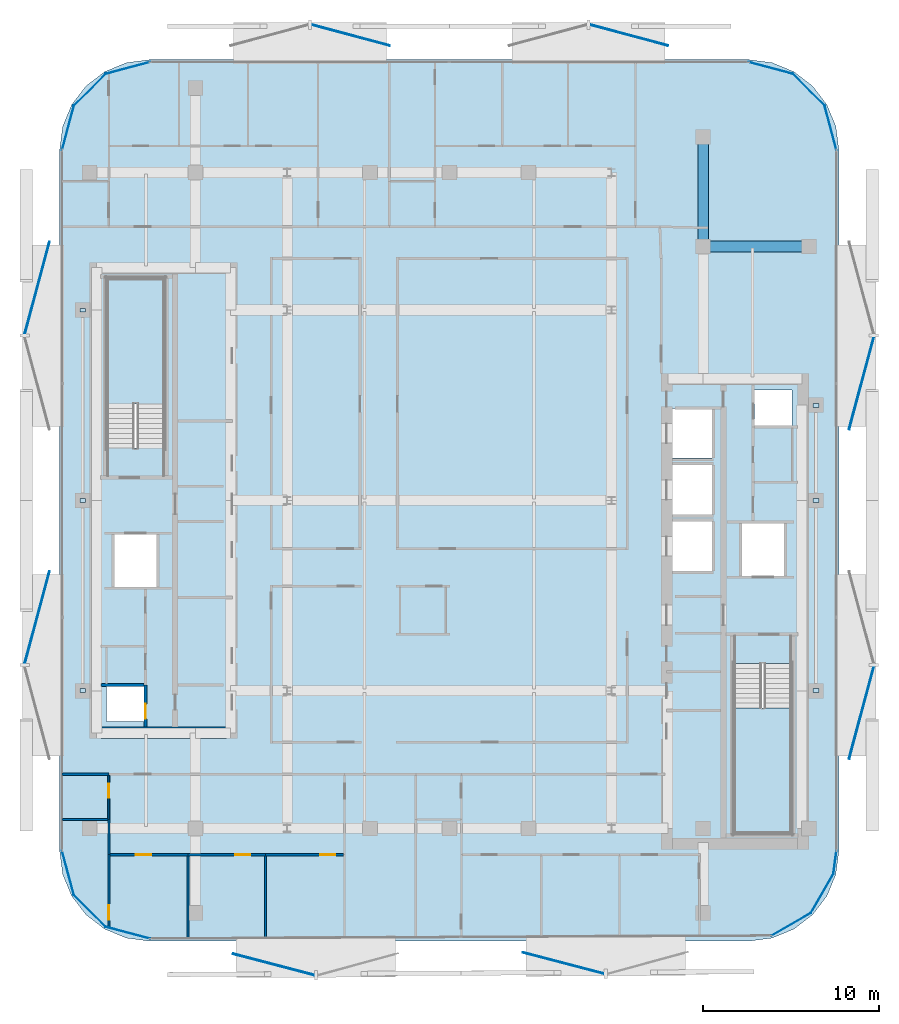
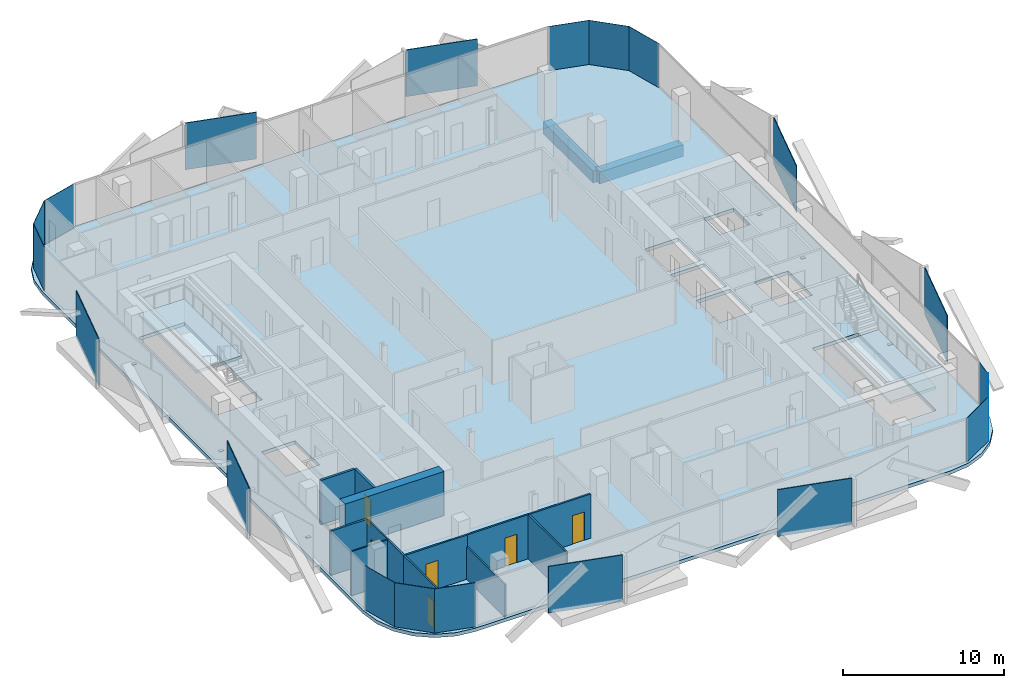
# One storey, part 2 of 14: 26 plates, 13 walls, 6 doors, 3 slabs, 2 beams, 6 openings, 2 elements without a shape of their own.
"""IFC4 building model written with IfcOpenShell, lengths in metres."""

import ifcopenshell
import ifcopenshell.guid

model = None  # the IFC model being written
_history = None  # IfcOwnerHistory: only IFC2X3 demands one
_inside = {}  # id of a spatial element -> (the spatial element, [elements in it])
_under = {}  # id of a project, library or spatial element -> (it, [spatial elements below it])
_declared = {}  # id of a project -> (the project, [libraries it declares])
_typed = {}  # id of a type object -> (the type object, [elements of that type])
_made_of = {}  # id of a material, layer set ... -> (it, [elements and type objects made of it])


def new_model(schema):
    """Start an empty IFC model of exactly this schema.

    Asked for "IFC4X3", IfcOpenShell would pick the latest addendum, in which some entities
    have other attributes; the version numbers below select the first issue.
    IFC2X3 requires an IfcOwnerHistory on every rooted entity: one is made here for all.
    """
    global model, _history
    if schema == "IFC4X3":
        model = ifcopenshell.file(schema_version=(4, 3, 0, 0))
    else:
        model = ifcopenshell.file(schema=schema)
    _inside.clear()
    _under.clear()
    _declared.clear()
    _typed.clear()
    _made_of.clear()
    _history = None
    if model.schema == "IFC2X3":
        org = make("IfcOrganization", Name="unknown")
        user = make(
            "IfcPersonAndOrganization",
            ThePerson=make("IfcPerson", FamilyName="unknown"),
            TheOrganization=org,
        )
        app = make(
            "IfcApplication",
            ApplicationDeveloper=org,
            Version="unknown",
            ApplicationFullName="unknown",
            ApplicationIdentifier="unknown",
        )
        _history = make(
            "IfcOwnerHistory",
            OwningUser=user,
            OwningApplication=app,
            ChangeAction="ADDED",
            CreationDate=0,
        )
    return model


def make(cls, **values):
    """One entity of the class cls with the attributes given. An attribute that is None is left unset."""
    return model.create_entity(
        cls, **{name: value for name, value in values.items() if value is not None}
    )


def rooted(cls, **values):
    """An entity with a GlobalId (a new one), such as an element, a storey or a relation."""
    return make(cls, GlobalId=ifcopenshell.guid.new(), OwnerHistory=_history, **values)


def si_unit(unit_type, name, prefix=None):
    """IfcSIUnit, for example si_unit("LENGTHUNIT", "METRE", prefix="MILLI")."""
    return make("IfcSIUnit", UnitType=unit_type, Prefix=prefix, Name=name)


def assignment(units):
    """IfcUnitAssignment: the units of a project."""
    return None if units is None else make("IfcUnitAssignment", Units=units)


def point(xyz):
    """IfcCartesianPoint."""
    return None if xyz is None else make("IfcCartesianPoint", Coordinates=xyz)


def direction(xyz):
    """IfcDirection."""
    return None if xyz is None else make("IfcDirection", DirectionRatios=xyz)


def frame(location, z_axis=None, x_axis=None):
    """IfcAxis2Placement3D, a coordinate frame: its origin and axes. An axis left out is left unset."""
    return make(
        "IfcAxis2Placement3D",
        Location=point(location),
        Axis=direction(z_axis),
        RefDirection=direction(x_axis),
    )


def frame_2d(location, x_axis=None):
    """IfcAxis2Placement2D, a coordinate frame in the plane: its origin and x axis."""
    return make(
        "IfcAxis2Placement2D", Location=point(location), RefDirection=direction(x_axis)
    )


def origin():
    """The frame at (0, 0, 0) with its axes left unset."""
    return frame((0.0, 0.0, 0.0))


def origin_2d():
    """The frame at (0, 0) in the plane with its x axis left unset."""
    return frame_2d((0.0, 0.0))


def place(relative_to, where):
    """IfcLocalPlacement: puts the frame where relative to a parent placement (None: the world)."""
    return make(
        "IfcLocalPlacement", PlacementRelTo=relative_to, RelativePlacement=where
    )


def context(
    kind, dimensions, precision=None, world=None, true_north=None, identifier=None
):
    """IfcGeometricRepresentationContext, for example the 3D "Model" context."""
    return make(
        "IfcGeometricRepresentationContext",
        ContextIdentifier=identifier,
        ContextType=kind,
        CoordinateSpaceDimension=dimensions,
        Precision=precision,
        WorldCoordinateSystem=world,
        TrueNorth=true_north,
    )


def subcontext(parent, identifier, kind, view, scale=None):
    """IfcGeometricRepresentationSubContext, for example "Body" below "Model"."""
    return make(
        "IfcGeometricRepresentationSubContext",
        ContextIdentifier=identifier,
        ContextType=kind,
        ParentContext=parent,
        TargetScale=scale,
        TargetView=view,
    )


def project(units=None, contexts=None):
    """IfcProject with its units and contexts."""
    return rooted(
        "IfcProject",
        Name="project",
        RepresentationContexts=contexts,
        UnitsInContext=assignment(units),
    )


def spatial(cls, under=None, at=None, **own):
    """A site, building, storey or space (cls), placed at a placement, below another one or the project."""
    s = rooted(cls, ObjectPlacement=at, **own)
    if under is not None:
        _under.setdefault(under.id(), (under, []))[1].append(s)
    return s


def polyline(points):
    """IfcPolyline through the points."""
    return make("IfcPolyline", Points=[point(p) for p in points])


def profile(cls, at=None, kind="AREA", **sizes):
    """A parametric profile (cls). Its sizes go by their IFC names, for example OverallWidth=200.0."""
    return make(cls, ProfileType=kind, Position=at, **sizes)


def rectangle(**sizes):
    """IfcRectangleProfileDef."""
    return profile("IfcRectangleProfileDef", **sizes)


def outline(outer, holes=None, kind="AREA"):
    """IfcArbitraryClosedProfileDef: a profile drawn as a closed curve; with holes, ...WithVoids."""
    if holes is None:
        return make("IfcArbitraryClosedProfileDef", ProfileType=kind, OuterCurve=outer)
    return make(
        "IfcArbitraryProfileDefWithVoids",
        ProfileType=kind,
        OuterCurve=outer,
        InnerCurves=holes,
    )


def extrude(swept, where, along, depth):
    """IfcExtrudedAreaSolid: the profile swept, set in the frame where, extruded along a direction by depth."""
    return make(
        "IfcExtrudedAreaSolid",
        SweptArea=swept,
        Position=where,
        ExtrudedDirection=direction(along),
        Depth=depth,
    )


def shape(context_of_items, identifier, shape_type, items):
    """IfcShapeRepresentation: the items that make up one representation, for example the "Body"."""
    return make(
        "IfcShapeRepresentation",
        ContextOfItems=context_of_items,
        RepresentationIdentifier=identifier,
        RepresentationType=shape_type,
        Items=items,
    )


def material(Name=None, Category=None):
    """IfcMaterial."""
    return make("IfcMaterial", Name=Name, Category=Category)


def layer(
    of_material, thickness, ventilated=None, Name=None, Category=None, Priority=None
):
    """IfcMaterialLayer: one layer of a wall or slab, of a material (None: an air gap)."""
    return make(
        "IfcMaterialLayer",
        Material=of_material,
        LayerThickness=thickness,
        IsVentilated=ventilated,
        Name=Name,
        Category=Category,
        Priority=Priority,
    )


def layer_set(layers, Name=None):
    """IfcMaterialLayerSet."""
    return make("IfcMaterialLayerSet", MaterialLayers=layers, LayerSetName=Name)


def material_profile(
    of_material, cross_section, Name=None, Category=None, Priority=None
):
    """IfcMaterialProfile: a cross section and its material."""
    return make(
        "IfcMaterialProfile",
        Name=Name,
        Material=of_material,
        Profile=cross_section,
        Priority=Priority,
        Category=Category,
    )


def profile_set(profiles, Name=None, composite=None):
    """IfcMaterialProfileSet."""
    return make(
        "IfcMaterialProfileSet",
        Name=Name,
        MaterialProfiles=profiles,
        CompositeProfile=composite,
    )


def made_of(thing, what):
    """Note that an element or type object is made of a material, layer set ...; save() writes the relation."""
    if what is not None:
        _made_of.setdefault(what.id(), (what, []))[1].append(thing)
    return thing


def type_object(cls, material=None, **own):
    """A type object (cls), such as IfcWallType, which elements share."""
    return made_of(rooted(cls, **own), material)


def element(
    cls,
    number,
    at=None,
    inside=None,
    cuts=None,
    type_object=None,
    material=None,
    context=None,
    identifier="Body",
    shape_type=None,
    held_by="IfcProductDefinitionShape",
    body=None,
    shapes=None,
    **own,
):
    """One element of the class cls, such as IfcWall. Its Tag is "e" and its number.

    at: its placement. inside: the storey or other place that contains it. cuts: it is an
    opening in that element (IfcRelVoidsElement). A single representation is given by context,
    identifier, shape_type and body (its items); several are given by shapes. held_by: the class
    of the entity that holds the representations. save() writes the other relations.
    """
    e = rooted(cls, Tag="e%d" % number, ObjectPlacement=at, **own)
    if body is not None:
        shapes = [shape(context, identifier, shape_type, body)]
    if shapes is not None:
        e.Representation = make(held_by, Representations=shapes)
    if inside is not None:
        _inside.setdefault(inside.id(), (inside, []))[1].append(e)
    if cuts is not None:
        rooted(
            "IfcRelVoidsElement", RelatingBuildingElement=cuts, RelatedOpeningElement=e
        )
    if type_object is not None:
        _typed.setdefault(type_object.id(), (type_object, []))[1].append(e)
    return made_of(e, material)


def fill(opening, filler):
    """IfcRelFillsElement: the door or window that sits in an opening."""
    return rooted(
        "IfcRelFillsElement",
        RelatingOpeningElement=opening,
        RelatedBuildingElement=filler,
    )


def aggregate(whole, parts):
    """IfcRelAggregates: a whole, such as a stair, and the parts it consists of."""
    return rooted("IfcRelAggregates", RelatingObject=whole, RelatedObjects=parts)


def save(model, path):
    """Write the relations noted so far, then the file.

    IfcRelAggregates (storeys below a building ...), IfcRelContainedInSpatialStructure (elements
    in a storey), IfcRelDefinesByType, IfcRelAssociatesMaterial and IfcRelDeclares: one each for
    every whole, place, type object, material and project.
    """
    for whole, parts in _under.values():
        aggregate(whole, parts)
    for where, things in _inside.values():
        rooted(
            "IfcRelContainedInSpatialStructure",
            RelatedElements=things,
            RelatingStructure=where,
        )
    for kind, things in _typed.values():
        rooted("IfcRelDefinesByType", RelatedObjects=things, RelatingType=kind)
    for what, things in _made_of.values():
        rooted("IfcRelAssociatesMaterial", RelatedObjects=things, RelatingMaterial=what)
    for by, libraries in _declared.values():
        rooted("IfcRelDeclares", RelatingContext=by, RelatedDefinitions=libraries)
    model.write(path)


model = new_model("IFC4")

# Units and contexts
model_context = context("Model", 3, precision=1e-05, world=origin(), true_north=direction((0.0, 1.0)))
body_context = subcontext(model_context, "Body", "Model", "MODEL_VIEW")
ifc_project = project(units=[si_unit("LENGTHUNIT", "METRE"), si_unit("AREAUNIT", "SQUARE_METRE"), si_unit("VOLUMEUNIT", "CUBIC_METRE"), si_unit("PLANEANGLEUNIT", "RADIAN"), si_unit("MASSUNIT", "GRAM", prefix="KILO")], contexts=[model_context])

# Site, building, storey
site_placement = place(None, origin())
site = spatial("IfcSite", under=ifc_project, at=site_placement, CompositionType="ELEMENT")
building_placement = place(site_placement, origin())
building = spatial("IfcBuilding", under=site, at=building_placement, Name="Khairoan Windgate Tower", CompositionType="ELEMENT")
storey_placement = place(building_placement, frame((0.0, 0.0, 233.199951171875)))
storey = spatial("IfcBuildingStorey", under=building, at=storey_placement, Name="L54", CompositionType="ELEMENT", Elevation=233.199951171875)

# Beams
ifc_material_1 = material(Name="Concrete C50/60", Category="concrete")
ifc_material_profile = material_profile(ifc_material_1, rectangle(XDim=0.60009765625, YDim=0.89990234375, at=origin_2d()))
ifc_profile_set = profile_set([ifc_material_profile], Name="Concrete C50/60")
beam_type = type_object("IfcBeamType", Name="Beam B-RC1 RC600x900", PredefinedType="BEAM", material=ifc_profile_set)
beam_1_placement = place(storey_placement, frame((14.39990234375, 14.39990234375, -0.7099609375), z_axis=(1.0, 0.0, 0.0), x_axis=(0.0, 1.0, 0.0)))
element("IfcBeam", 1, at=beam_1_placement, inside=storey, type_object=beam_type, Name="L54 E-W Primary Girder 21", PredefinedType="BEAM", context=body_context, shape_type="SweptSolid", body=[
    extrude(rectangle(XDim=0.60009765625, YDim=0.89990234375, at=origin_2d()), origin(), (0.0, 0.0, 1.0), 6.0),
])
beam_2_placement = place(storey_placement, frame((14.39990234375, 14.39990234375, -0.7099609375), z_axis=(0.0, 1.0, 0.0), x_axis=(-1.0, 0.0, 0.0)))
element("IfcBeam", 2, at=beam_2_placement, inside=storey, type_object=beam_type, Name="L54 N-S Primary Beam 53", PredefinedType="BEAM", context=body_context, shape_type="SweptSolid", body=[
    extrude(rectangle(XDim=0.60009765625, YDim=0.89990234375, at=origin_2d()), origin(), (0.0, 0.0, 1.0), 6.2001953125),
])

# Plates
ifc_material_2 = material(Name="Low-E Solar Control Laminated Glass", Category="glass")
ifc_layer_1 = layer(ifc_material_2, 0.030029296875, Name="Low-E Solar Control Laminated Glass")
ifc_layer_set_1 = layer_set([ifc_layer_1], Name="Low-E Solar Control Laminated Glass")
plate_type_1 = type_object("IfcPlateType", Name="Aerodynamic Wind-Corner Curved Glazing Plate", PredefinedType="USERDEFINED", material=ifc_layer_set_1)
plate_1_placement = place(storey_placement, frame((-18.235107421875, -24.527099609375, 0.0), z_axis=(0.0, 0.0, 1.0), x_axis=(-0.966061211211, 0.258313252067, 0.0)))
element("IfcPlate", 3, at=plate_1_placement, inside=storey, type_object=plate_type_1, Name="L54 Aerodynamic Wind-Corner Curved Glazing Panel 2", ObjectType="GLAZING PANEL", PredefinedType="USERDEFINED", context=body_context, shape_type="SweptSolid", body=[
    extrude(rectangle(XDim=2.6162109375, YDim=0.030029296875, at=origin_2d()), origin(), (0.0, 0.0, 1.0), 3.340087890625),
])
plate_2_placement = place(storey_placement, frame((-20.386962890625, -23.286865234375, 0.0), z_axis=(0.0, 0.0, 1.0), x_axis=(-0.707106781187, 0.707106781187, 0.0)))
element("IfcPlate", 4, at=plate_2_placement, inside=storey, type_object=plate_type_1, Name="L54 Aerodynamic Wind-Corner Curved Glazing Panel 3", ObjectType="GLAZING PANEL", PredefinedType="USERDEFINED", context=body_context, shape_type="SweptSolid", body=[
    extrude(rectangle(XDim=2.606689453125, YDim=0.030029296875, at=origin_2d()), origin(), (0.0, 0.0, 1.0), 3.340087890625),
])
for number, where, z_axis, x_axis, name in (
    (5, (-21.627197265625, -21.135009765625, 0.0), (0.0, 0.0, 1.0), (-0.258313252067, 0.966061211211, 0.0), "L54 Aerodynamic Wind-Corner Curved Glazing Panel 4"),
    (6, (-21.627197265625, 21.135009765625, 0.0), (0.0, 0.0, 1.0), (0.258313252067, 0.966061211211, 0.0), "L54 Aerodynamic Wind-Corner Curved Glazing Panel 6"),
):
    element("IfcPlate", number, at=place(storey_placement, frame(where, z_axis=z_axis, x_axis=x_axis)), inside=storey, type_object=plate_type_1, Name=name, ObjectType="GLAZING PANEL", PredefinedType="USERDEFINED", context=body_context, shape_type="SweptSolid", body=[
        extrude(rectangle(XDim=2.6162109375, YDim=0.030029296875, at=origin_2d()), origin(), (0.0, 0.0, 1.0), 3.340087890625),
    ])
plate_3_placement = place(storey_placement, frame((-20.386962890625, 23.286865234375, 0.0), z_axis=(0.0, 0.0, 1.0), x_axis=(0.707106781187, 0.707106781187, 0.0)))
element("IfcPlate", 7, at=plate_3_placement, inside=storey, type_object=plate_type_1, Name="L54 Aerodynamic Wind-Corner Curved Glazing Panel 7", ObjectType="GLAZING PANEL", PredefinedType="USERDEFINED", context=body_context, shape_type="SweptSolid", body=[
    extrude(rectangle(XDim=2.606689453125, YDim=0.030029296875, at=origin_2d()), origin(), (0.0, 0.0, 1.0), 3.340087890625),
])
for number, where, z_axis, x_axis, name in (
    (8, (-18.235107421875, 24.527099609375, 0.0), (0.0, 0.0, 1.0), (0.966061211211, 0.258313252067, 0.0), "L54 Aerodynamic Wind-Corner Curved Glazing Panel 8"),
    (9, (18.235107421875, 24.527099609375, 0.0), (0.0, 0.0, 1.0), (0.966061211211, -0.258313252067, 0.0), "L54 Aerodynamic Wind-Corner Curved Glazing Panel 10"),
):
    element("IfcPlate", number, at=place(storey_placement, frame(where, z_axis=z_axis, x_axis=x_axis)), inside=storey, type_object=plate_type_1, Name=name, ObjectType="GLAZING PANEL", PredefinedType="USERDEFINED", context=body_context, shape_type="SweptSolid", body=[
        extrude(rectangle(XDim=2.6162109375, YDim=0.030029296875, at=origin_2d()), origin(), (0.0, 0.0, 1.0), 3.340087890625),
    ])
plate_4_placement = place(storey_placement, frame((20.386962890625, 23.286865234375, 0.0), z_axis=(0.0, 0.0, 1.0), x_axis=(0.707106781187, -0.707106781187, 0.0)))
element("IfcPlate", 10, at=plate_4_placement, inside=storey, type_object=plate_type_1, Name="L54 Aerodynamic Wind-Corner Curved Glazing Panel 11", ObjectType="GLAZING PANEL", PredefinedType="USERDEFINED", context=body_context, shape_type="SweptSolid", body=[
    extrude(rectangle(XDim=2.606689453125, YDim=0.030029296875, at=origin_2d()), origin(), (0.0, 0.0, 1.0), 3.340087890625),
])
plate_5_placement = place(storey_placement, frame((21.627197265625, 21.135009765625, 0.0), z_axis=(0.0, 0.0, 1.0), x_axis=(0.258313252067, -0.966061211211, 0.0)))
element("IfcPlate", 11, at=plate_5_placement, inside=storey, type_object=plate_type_1, Name="L54 Aerodynamic Wind-Corner Curved Glazing Panel 12", ObjectType="GLAZING PANEL", PredefinedType="USERDEFINED", context=body_context, shape_type="SweptSolid", body=[
    extrude(rectangle(XDim=2.6162109375, YDim=0.030029296875, at=origin_2d()), origin(), (0.0, 0.0, 1.0), 3.340087890625),
])
plate_6_placement = place(storey_placement, frame((21.875, -20.537109375, 0.0), z_axis=(0.0, 0.0, 1.0), x_axis=(-0.13052619222, -0.991444861374, 0.0)))
element("IfcPlate", 12, at=plate_6_placement, inside=storey, type_object=plate_type_1, Name="L54 Aerodynamic Wind-Corner Curved Glazing Panel 14", ObjectType="GLAZING PANEL", PredefinedType="USERDEFINED", context=body_context, shape_type="SweptSolid", body=[
    extrude(rectangle(XDim=1.343994140625, YDim=0.030029296875, at=origin_2d()), origin(), (0.0, 0.0, 1.0), 3.340087890625),
])
for number, where, z_axis, x_axis, name in (
    (13, (21.148193359375, -22.294921875, 0.0), (0.0, 0.0, 1.0), (-0.5, -0.866025403784, 0.0), "L54 Aerodynamic Wind-Corner Curved Glazing Panel 15"),
    (14, (19.39501953125, -24.048095703125, 0.0), (0.0, 0.0, 1.0), (-0.866025403784, -0.5, 0.0), "L54 Aerodynamic Wind-Corner Curved Glazing Panel 16"),
):
    element("IfcPlate", number, at=place(storey_placement, frame(where, z_axis=z_axis, x_axis=x_axis)), inside=storey, type_object=plate_type_1, Name=name, ObjectType="GLAZING PANEL", PredefinedType="USERDEFINED", context=body_context, shape_type="SweptSolid", body=[
        extrude(rectangle(XDim=2.606689453125, YDim=0.030029296875, at=origin_2d()), origin(), (0.0, 0.0, 1.0), 3.340087890625),
    ])
ifc_material_3 = material(Name="Steel S355", Category="steel")
ifc_layer_2 = layer(ifc_material_3, 0.0400390625, Name="Steel S355")
ifc_layer_set_2 = layer_set([ifc_layer_2], Name="Steel S355")
plate_type_2 = type_object("IfcPlateType", Name="Hollow Section End-Cap Plate PL-CAP40", PredefinedType="SHEET", material=ifc_layer_set_2)
for number, where, z_axis, x_axis, name in (
    (15, (-20.800048828125, -10.784912109375, -0.429931640625), (0.0, 0.0, 1.0), (0.0, 1.0, 0.0), "BM-SP-L54-028 steel end-cap plate 1"),
    (16, (-20.800048828125, -0.014892578125, -0.429931640625), (0.0, 0.0, 1.0), (0.0, 1.0, 0.0), "BM-SP-L54-028 steel end-cap plate 2"),
    (17, (-20.800048828125, 10.784912109375, -0.429931640625), (0.0, 0.0, 1.0), (0.0, 1.0, 0.0), "BM-SP-L54-029 steel end-cap plate 2"),
    (18, (20.800048828125, -10.784912109375, -0.429931640625), (0.0, 0.0, 1.0), (0.0, 1.0, 0.0), "BM-SP-L54-057 steel end-cap plate 1"),
    (19, (20.800048828125, -0.014892578125, -0.429931640625), (0.0, 0.0, 1.0), (0.0, 1.0, 0.0), "BM-SP-L54-057 steel end-cap plate 2"),
    (20, (20.800048828125, 5.385009765625, -0.429931640625), (0.0, 0.0, 1.0), (0.0, 1.0, 0.0), "BM-SP-L54-058 steel end-cap plate 2"),
):
    element("IfcPlate", number, at=place(storey_placement, frame(where, z_axis=z_axis, x_axis=x_axis)), inside=storey, type_object=plate_type_2, Name=name, PredefinedType="SHEET", context=body_context, shape_type="SweptSolid", body=[
        extrude(rectangle(XDim=0.219970703125, YDim=0.320068359375, at=origin_2d()), origin(), (0.0, 0.0, 1.0), 0.0400390625),
    ])
ifc_material_4 = material(Name="Anodised Bronze Aluminium 6063-T6", Category="aluminium")
ifc_layer_3 = layer(ifc_material_4, 0.054931640625, Name="Anodised Bronze Aluminium 6063-T6")
ifc_layer_set_3 = layer_set([ifc_layer_3], Name="Anodised Bronze Aluminium 6063-T6")
plate_type_3 = type_object("IfcPlateType", Name="Perforated Bronze Solar Screen Upper Panel BSP-2", PredefinedType="USERDEFINED", material=ifc_layer_set_3)
for number, where, z_axis, x_axis, name in (
    (21, (6.47998046875, -26.25, -0.099853515625), (0.0, 0.0, 1.0), (-0.967179115616, 0.254095569259, 0.0), "L54 Perforated Bronze Solar Screen Panel 361R"),
    (22, (-9.957275390625, -26.3291015625, -0.099853515625), (0.0, 0.0, 1.0), (-0.967179115616, 0.254095569259, 0.0), "L54 Perforated Bronze Solar Screen Panel 362R"),
):
    element("IfcPlate", number, at=place(storey_placement, frame(where, z_axis=z_axis, x_axis=x_axis)), inside=storey, type_object=plate_type_3, Name=name, ObjectType="SCREEN", PredefinedType="USERDEFINED", context=body_context, shape_type="SweptSolid", body=[
        extrude(rectangle(XDim=4.76708984375, YDim=0.054931640625, at=origin_2d()), origin(), (0.0, 0.0, 1.0), 3.5400390625),
    ])
for number, where, z_axis, x_axis, name in (
    (23, (-23.378662109375, -6.6376953125, -0.099853515625), (0.0, 0.0, 1.0), (0.258819045103, 0.965925826289, 0.0), "L54 Perforated Bronze Solar Screen Panel 363R"),
    (24, (-23.378662109375, 12.052978515625, -0.099853515625), (0.0, 0.0, 1.0), (0.258819045103, 0.965925826289, 0.0), "L54 Perforated Bronze Solar Screen Panel 364R"),
):
    element("IfcPlate", number, at=place(storey_placement, frame(where, z_axis=z_axis, x_axis=x_axis)), inside=storey, type_object=plate_type_3, Name=name, ObjectType="SCREEN", PredefinedType="USERDEFINED", context=body_context, shape_type="SweptSolid", body=[
        extrude(rectangle(XDim=5.419921875, YDim=0.054931640625, at=origin_2d()), origin(), (0.0, 0.0, 1.0), 3.5400390625),
    ])
for number, where, z_axis, x_axis, name in (
    (25, (-5.593994140625, 26.387451171875, -0.099853515625), (0.0, 0.0, 1.0), (0.965925826289, -0.258819045103, 0.0), "L54 Perforated Bronze Solar Screen Panel 365R"),
    (26, (10.197021484375, 26.387451171875, -0.099853515625), (0.0, 0.0, 1.0), (0.965925826289, -0.258819045103, 0.0), "L54 Perforated Bronze Solar Screen Panel 366R"),
):
    element("IfcPlate", number, at=place(storey_placement, frame(where, z_axis=z_axis, x_axis=x_axis)), inside=storey, type_object=plate_type_3, Name=name, ObjectType="SCREEN", PredefinedType="USERDEFINED", context=body_context, shape_type="SweptSolid", body=[
        extrude(rectangle(XDim=4.5791015625, YDim=0.054931640625, at=origin_2d()), origin(), (0.0, 0.0, 1.0), 3.5400390625),
    ])
for number, where, z_axis, x_axis, name in (
    (27, (23.378662109375, 6.6376953125, -0.099853515625), (0.0, 0.0, 1.0), (-0.258819045103, -0.965925826289, 0.0), "L54 Perforated Bronze Solar Screen Panel 367R"),
    (28, (23.378662109375, -12.052978515625, -0.099853515625), (0.0, 0.0, 1.0), (-0.258819045103, -0.965925826289, 0.0), "L54 Perforated Bronze Solar Screen Panel 368R"),
):
    element("IfcPlate", number, at=place(storey_placement, frame(where, z_axis=z_axis, x_axis=x_axis)), inside=storey, type_object=plate_type_3, Name=name, ObjectType="SCREEN", PredefinedType="USERDEFINED", context=body_context, shape_type="SweptSolid", body=[
        extrude(rectangle(XDim=5.419921875, YDim=0.054931640625, at=origin_2d()), origin(), (0.0, 0.0, 1.0), 3.5400390625),
    ])

# Stair, slab
ifc_material_5 = material(Name="Concrete C40/50", Category="concrete")
stair_type = type_object("IfcStairType", Name="Tower Core Dog-Leg Stair ST-T1 1560mm", PredefinedType="HALF_TURN_STAIR", material=ifc_material_5)
stair_1_placement = place(storey_placement, origin())
stair_1 = element("IfcStair", 29, at=stair_1_placement, inside=storey, type_object=stair_type, Name="L54 Stair ST1", PredefinedType="HALF_TURN_STAIR")
ifc_material_6 = material(Name="Concrete C40/50", Category="concrete")
ifc_layer_4 = layer(ifc_material_6, 0.199951171875, Name="Concrete C40/50")
ifc_layer_set_4 = layer_set([ifc_layer_4], Name="Concrete C40/50")
slab_type_1 = type_object("IfcSlabType", Name="Reinforced Concrete Stair Landing Slab STL-200", PredefinedType="LANDING", material=ifc_layer_set_4)
slab_1_placement = place(storey_placement, frame((0.0, 0.0, 1.60009765625)))
slab_1 = element("IfcSlab", 30, at=slab_1_placement, type_object=slab_type_1, Name="ST1 landing 1", PredefinedType="LANDING", context=body_context, shape_type="SweptSolid", body=[
    extrude(outline(polyline([(16.14990234375, -11.780029296875), (16.14990234375, -18.89990234375), (19.419921875, -18.89990234375), (19.419921875, -11.780029296875), (16.14990234375, -11.780029296875)])), origin(), (0.0, 0.0, 1.0), 0.199951171875),
])
aggregate(stair_1, [slab_1])

stair_2_placement = place(storey_placement, origin())
stair_2 = element("IfcStair", 31, at=stair_2_placement, inside=storey, type_object=stair_type, Name="L54 Stair ST2", PredefinedType="HALF_TURN_STAIR")
slab_2_placement = place(storey_placement, frame((0.0, 0.0, 1.60009765625)))
slab_2 = element("IfcSlab", 32, at=slab_2_placement, type_object=slab_type_1, Name="ST2 landing 1", PredefinedType="LANDING", context=body_context, shape_type="SweptSolid", body=[
    extrude(outline(polyline([(-16.14990234375, 5.47998046875), (-16.14990234375, 12.60009765625), (-19.419921875, 12.60009765625), (-19.419921875, 5.47998046875), (-16.14990234375, 5.47998046875)])), origin(), (0.0, 0.0, 1.0), 0.199951171875),
])
aggregate(stair_2, [slab_2])

# Slab
ifc_material_7 = material(Name="Concrete C40/50", Category="concrete")
ifc_layer_5 = layer(ifc_material_7, 0.260009765625, Name="Concrete C40/50")
ifc_layer_set_5 = layer_set([ifc_layer_5], Name="Concrete C40/50")
slab_type_2 = type_object("IfcSlabType", Name="Tower Composite Floor Slab FS2 260mm", PredefinedType="FLOOR", material=ifc_layer_set_5)
slab_3_placement = place(storey_placement, frame((0.0, 0.0, -0.260009765625)))
element("IfcSlab", 33, at=slab_3_placement, inside=storey, type_object=slab_type_2, Name="L54 Structural Floor Slab", PredefinedType="FLOOR", context=body_context, shape_type="SweptSolid", body=[
    extrude(outline(polyline([(17.0, -25.0), (18.320068359375, -24.826171875), (19.550048828125, -24.316650390625), (20.606201171875, -23.506103515625), (21.416748046875, -22.449951171875), (21.92626953125, -21.219970703125), (22.10009765625, -19.89990234375), (22.10009765625, 19.89990234375), (21.92626953125, 21.219970703125), (21.416748046875, 22.449951171875), (20.606201171875, 23.506103515625), (19.550048828125, 24.316650390625), (18.320068359375, 24.826171875), (17.0, 25.0), (-17.0, 25.0), (-18.320068359375, 24.826171875), (-19.550048828125, 24.316650390625), (-20.606201171875, 23.506103515625), (-21.416748046875, 22.449951171875), (-21.92626953125, 21.219970703125), (-22.10009765625, 19.89990234375), (-22.10009765625, -19.89990234375), (-21.92626953125, -21.219970703125), (-21.416748046875, -22.449951171875), (-20.606201171875, -23.506103515625), (-19.550048828125, -24.316650390625), (-18.320068359375, -24.826171875), (-17.0, -25.0), (17.0, -25.0)]), holes=[polyline([(16.14990234375, -9.260009765625), (16.14990234375, -18.89990234375), (19.419921875, -18.89990234375), (19.419921875, -9.260009765625), (16.14990234375, -9.260009765625)]), polyline([(-16.14990234375, 2.9599609375), (-16.14990234375, 12.60009765625), (-19.419921875, 12.60009765625), (-19.419921875, 2.9599609375), (-16.14990234375, 2.9599609375)]), polyline([(12.5, 2.39990234375), (14.89990234375, 2.39990234375), (14.89990234375, 5.199951171875), (12.5, 5.199951171875), (12.5, 2.39990234375)]), polyline([(12.5, -0.800048828125), (14.89990234375, -0.800048828125), (14.89990234375, 2.0), (12.5, 2.0), (12.5, -0.800048828125)]), polyline([(12.5, -4.0), (14.89990234375, -4.0), (14.89990234375, -1.199951171875), (12.5, -1.199951171875), (12.5, -4.0)]), polyline([(16.60009765625, -4.300048828125), (19.0, -4.300048828125), (19.0, -1.300048828125), (16.60009765625, -1.300048828125), (16.60009765625, -4.300048828125)]), polyline([(-19.0, -4.89990234375), (-16.60009765625, -4.89990234375), (-16.60009765625, -1.89990234375), (-19.0, -1.89990234375), (-19.0, -4.89990234375)]), polyline([(-19.449951171875, -12.550048828125), (-17.31005859375, -12.550048828125), (-17.31005859375, -10.550048828125), (-19.449951171875, -10.550048828125), (-19.449951171875, -12.550048828125)]), polyline([(17.31005859375, 4.25), (19.449951171875, 4.25), (19.449951171875, 6.25), (17.31005859375, 6.25), (17.31005859375, 4.25)])]), origin(), (0.0, 0.0, 1.0), 0.260009765625),
])

# Wall
ifc_material_8 = material(Name="Moisture-Resistant Gypsum Partition", Category="gypsum")
ifc_layer_6 = layer(ifc_material_8, 0.10009765625, Name="Moisture-Resistant Gypsum Partition")
ifc_layer_set_6 = layer_set([ifc_layer_6], Name="Moisture-Resistant Gypsum Partition")
wall_type_1 = type_object("IfcWallType", Name="Bathroom Wet-Area Partition Wall", PredefinedType="PARTITIONING", material=ifc_layer_set_6)
wall_1_placement = place(storey_placement, frame((-21.955078125, -18.10009765625, 0.0), z_axis=(0.0, 0.0, 1.0), x_axis=(1.0, 0.0, 0.0)))
element("IfcWall", 34, at=wall_1_placement, inside=storey, type_object=wall_type_1, Name="L54 Interior Partition 067", PredefinedType="PARTITIONING", context=body_context, shape_type="SweptSolid", body=[
    extrude(rectangle(XDim=2.594970703125, YDim=0.10009765625, at=frame_2d((1.29736328125, 0.0))), origin(), (0.0, 0.0, 1.0), 3.340087890625),
])

# Wall, opening, door
wall_2_placement = place(storey_placement, frame((-19.31005859375, -18.10009765625, 0.0), z_axis=(0.0, 0.0, 1.0), x_axis=(0.0, 1.0, 0.0)))
wall_2 = element("IfcWall", 35, at=wall_2_placement, inside=storey, type_object=wall_type_1, Name="L54 Interior Partition 068", PredefinedType="PARTITIONING", context=body_context, shape_type="SweptSolid", body=[
    extrude(rectangle(XDim=2.5, YDim=0.10009765625, at=frame_2d((1.25, 0.0))), origin(), (0.0, 0.0, 1.0), 3.340087890625),
])
opening_1_placement = place(wall_2_placement, frame((1.239990234375, 0.0, 0.0)))
opening_1 = element("IfcOpeningElement", 36, at=opening_1_placement, cuts=wall_2, Name="Opening ID-BTH", PredefinedType="OPENING", context=body_context, shape_type="SweptSolid", body=[
    extrude(rectangle(XDim=0.800048828125, YDim=2.10009765625, at=frame_2d((0.39990234375, 1.050048828125))), frame((0.0, 0.06005859375, 0.0), z_axis=(0.0, -1.0, 0.0), x_axis=(1.0, 0.0, 0.0)), (0.0, 0.0, 1.0), 0.1201171875),
])
ifc_material_9 = material(Name="Teak Veneer Timber Leaf", Category="wood")
door_type_1 = type_object("IfcDoorType", Name="Internal Bathroom Door ID-BTH 800x2100", OperationType="NOTDEFINED", PredefinedType="DOOR", material=ifc_material_9)
door_1_placement = place(opening_1_placement, origin())
door_1 = element("IfcDoor", 37, at=door_1_placement, inside=storey, type_object=door_type_1, Name="L54 L54-49-L54-51 Door", OperationType="SINGLE_SWING_LEFT", OverallHeight=2.10009765625, OverallWidth=0.800048828125, PredefinedType="DOOR", context=body_context, shape_type="SweptSolid", body=[
    extrude(rectangle(XDim=0.800048828125, YDim=2.10009765625, at=frame_2d((0.39990234375, 1.050048828125))), frame((0.0, 0.02490234375, 0.0), z_axis=(0.0, -1.0, 0.0), x_axis=(1.0, 0.0, 0.0)), (0.0, 0.0, 1.0), 0.050048828125),
])
fill(opening_1, door_1)

# Wall
ifc_material_10 = material(Name="Gypsum Stud Partition", Category="gypsum")
ifc_layer_7 = layer(ifc_material_10, 0.1201171875, Name="Gypsum Stud Partition")
ifc_layer_set_7 = layer_set([ifc_layer_7], Name="Gypsum Stud Partition")
wall_type_2 = type_object("IfcWallType", Name="Internal Room Partition Wall", PredefinedType="PARTITIONING", material=ifc_layer_set_7)
wall_3_placement = place(storey_placement, frame((-19.31005859375, -20.10009765625, 0.0), z_axis=(0.0, 0.0, 1.0), x_axis=(0.0, 1.0, 0.0)))
element("IfcWall", 38, at=wall_3_placement, inside=storey, type_object=wall_type_2, Name="L54 Interior Partition 069", PredefinedType="PARTITIONING", context=body_context, shape_type="SweptSolid", body=[
    extrude(rectangle(XDim=2.0, YDim=0.1201171875, at=frame_2d((1.0, 0.0))), origin(), (0.0, 0.0, 1.0), 3.340087890625),
])

# Wall, opening, door
wall_4_placement = place(storey_placement, frame((-19.31005859375, -24.234619140625, 0.0), z_axis=(0.0, 0.0, 1.0), x_axis=(0.0, 1.0, 0.0)))
wall_4 = element("IfcWall", 39, at=wall_4_placement, inside=storey, type_object=wall_type_2, Name="L54 Interior Partition 070", PredefinedType="PARTITIONING", context=body_context, shape_type="SweptSolid", body=[
    extrude(rectangle(XDim=4.134521484375, YDim=0.1201171875, at=frame_2d((2.0673828125, 0.0))), origin(), (0.0, 0.0, 1.0), 3.340087890625),
])
opening_2_placement = place(wall_4_placement, frame((0.4599609375, 0.0, 0.0)))
opening_2 = element("IfcOpeningElement", 40, at=opening_2_placement, cuts=wall_4, Name="Opening ID-BTH", PredefinedType="OPENING", context=body_context, shape_type="SweptSolid", body=[
    extrude(rectangle(XDim=0.800048828125, YDim=2.10009765625, at=frame_2d((0.39990234375, 1.050048828125))), frame((0.0, 0.070068359375, 0.0), z_axis=(0.0, -1.0, 0.0), x_axis=(1.0, 0.0, 0.0)), (0.0, 0.0, 1.0), 0.14013671875),
])
door_2_placement = place(opening_2_placement, origin())
door_2 = element("IfcDoor", 41, at=door_2_placement, inside=storey, type_object=door_type_1, Name="L54 L54-50-L54-53 Door", OperationType="SINGLE_SWING_RIGHT", OverallHeight=2.10009765625, OverallWidth=0.800048828125, PredefinedType="DOOR", context=body_context, shape_type="SweptSolid", body=[
    extrude(rectangle(XDim=0.800048828125, YDim=2.10009765625, at=frame_2d((0.39990234375, 1.050048828125))), frame((0.0, 0.02490234375, 0.0), z_axis=(0.0, -1.0, 0.0), x_axis=(1.0, 0.0, 0.0)), (0.0, 0.0, 1.0), 0.050048828125),
])
fill(opening_2, door_2)

wall_5_placement = place(storey_placement, frame((-19.25, -20.10009765625, 0.0), z_axis=(0.0, 0.0, 1.0), x_axis=(1.0, 0.0, 0.0)))
wall_5 = element("IfcWall", 42, at=wall_5_placement, inside=storey, type_object=wall_type_2, Name="L54 Interior Partition 072", PredefinedType="PARTITIONING", context=body_context, shape_type="SweptSolid", body=[
    extrude(rectangle(XDim=4.423095703125, YDim=0.1201171875, at=frame_2d((2.21142578125, 0.0))), origin(), (0.0, 0.0, 1.0), 3.340087890625),
])
opening_3_placement = place(wall_5_placement, frame((1.4765625, 0.0, 0.0)))
opening_3 = element("IfcOpeningElement", 43, at=opening_3_placement, cuts=wall_5, Name="Opening ID-RM", PredefinedType="OPENING", context=body_context, shape_type="SweptSolid", body=[
    extrude(rectangle(XDim=0.860107421875, YDim=2.14990234375, at=frame_2d((0.43017578125, 1.074951171875))), frame((0.0, 0.070068359375, 0.0), z_axis=(0.0, -1.0, 0.0), x_axis=(1.0, 0.0, 0.0)), (0.0, 0.0, 1.0), 0.14013671875),
])
ifc_material_11 = material(Name="Teak Veneer Timber Leaf", Category="wood")
door_type_2 = type_object("IfcDoorType", Name="Internal Bedroom and Office Door ID-RM 860x2150", OperationType="NOTDEFINED", PredefinedType="DOOR", material=ifc_material_11)
door_3_placement = place(opening_3_placement, origin())
door_3 = element("IfcDoor", 44, at=door_3_placement, inside=storey, type_object=door_type_2, Name="L54 L54-51-L54-53 Door", OperationType="SINGLE_SWING_RIGHT", OverallHeight=2.14990234375, OverallWidth=0.860107421875, PredefinedType="DOOR", context=body_context, shape_type="SweptSolid", body=[
    extrude(rectangle(XDim=0.860107421875, YDim=2.14990234375, at=frame_2d((0.43017578125, 1.074951171875))), frame((0.0, 0.02490234375, 0.0), z_axis=(0.0, -1.0, 0.0), x_axis=(1.0, 0.0, 0.0)), (0.0, 0.0, 1.0), 0.050048828125),
])
fill(opening_3, door_3)

wall_6_placement = place(storey_placement, frame((-14.826904296875, -20.10009765625, 0.0), z_axis=(0.0, 0.0, 1.0), x_axis=(1.0, 0.0, 0.0)))
wall_6 = element("IfcWall", 45, at=wall_6_placement, inside=storey, type_object=wall_type_2, Name="L54 Interior Partition 073", PredefinedType="PARTITIONING", context=body_context, shape_type="SweptSolid", body=[
    extrude(rectangle(XDim=4.40380859375, YDim=0.1201171875, at=frame_2d((2.201904296875, 0.0))), origin(), (0.0, 0.0, 1.0), 3.340087890625),
])
opening_4_placement = place(wall_6_placement, frame((2.680419921875, 0.0, 0.0)))
opening_4 = element("IfcOpeningElement", 46, at=opening_4_placement, cuts=wall_6, Name="Opening ID-RM", PredefinedType="OPENING", context=body_context, shape_type="SweptSolid", body=[
    extrude(rectangle(XDim=0.860107421875, YDim=2.14990234375, at=frame_2d((0.43017578125, 1.074951171875))), frame((0.0, 0.070068359375, 0.0), z_axis=(0.0, -1.0, 0.0), x_axis=(1.0, 0.0, 0.0)), (0.0, 0.0, 1.0), 0.14013671875),
])
door_4_placement = place(opening_4_placement, origin())
door_4 = element("IfcDoor", 47, at=door_4_placement, inside=storey, type_object=door_type_2, Name="L54 L54-51-L54-54 Door", OperationType="SINGLE_SWING_LEFT", OverallHeight=2.14990234375, OverallWidth=0.860107421875, PredefinedType="DOOR", context=body_context, shape_type="SweptSolid", body=[
    extrude(rectangle(XDim=0.860107421875, YDim=2.14990234375, at=frame_2d((0.43017578125, 1.074951171875))), frame((0.0, 0.02490234375, 0.0), z_axis=(0.0, -1.0, 0.0), x_axis=(1.0, 0.0, 0.0)), (0.0, 0.0, 1.0), 0.050048828125),
])
fill(opening_4, door_4)

wall_7_placement = place(storey_placement, frame((-10.423095703125, -20.10009765625, 0.0), z_axis=(0.0, 0.0, 1.0), x_axis=(1.0, 0.0, 0.0)))
wall_7 = element("IfcWall", 48, at=wall_7_placement, inside=storey, type_object=wall_type_2, Name="L54 Interior Partition 074", PredefinedType="PARTITIONING", context=body_context, shape_type="SweptSolid", body=[
    extrude(rectangle(XDim=4.423095703125, YDim=0.1201171875, at=frame_2d((2.21142578125, 0.0))), origin(), (0.0, 0.0, 1.0), 3.340087890625),
])
opening_5_placement = place(wall_7_placement, frame((3.10302734375, 0.0, 0.0)))
opening_5 = element("IfcOpeningElement", 49, at=opening_5_placement, cuts=wall_7, Name="Opening ID-RM", PredefinedType="OPENING", context=body_context, shape_type="SweptSolid", body=[
    extrude(rectangle(XDim=0.860107421875, YDim=2.14990234375, at=frame_2d((0.43017578125, 1.074951171875))), frame((0.0, 0.070068359375, 0.0), z_axis=(0.0, -1.0, 0.0), x_axis=(1.0, 0.0, 0.0)), (0.0, 0.0, 1.0), 0.14013671875),
])
door_5_placement = place(opening_5_placement, origin())
door_5 = element("IfcDoor", 50, at=door_5_placement, inside=storey, type_object=door_type_2, Name="L54 L54-51-L54-55 Door", OperationType="SINGLE_SWING_RIGHT", OverallHeight=2.14990234375, OverallWidth=0.860107421875, PredefinedType="DOOR", context=body_context, shape_type="SweptSolid", body=[
    extrude(rectangle(XDim=0.860107421875, YDim=2.14990234375, at=frame_2d((0.43017578125, 1.074951171875))), frame((0.0, 0.02490234375, 0.0), z_axis=(0.0, -1.0, 0.0), x_axis=(1.0, 0.0, 0.0)), (0.0, 0.0, 1.0), 0.050048828125),
])
fill(opening_5, door_5)

# Walls
wall_8_placement = place(storey_placement, frame((-14.826904296875, -24.844482421875, 0.0), z_axis=(0.0, 0.0, 1.0), x_axis=(0.0, 1.0, 0.0)))
element("IfcWall", 51, at=wall_8_placement, inside=storey, type_object=wall_type_2, Name="L54 Interior Partition 078", PredefinedType="PARTITIONING", context=body_context, shape_type="SweptSolid", body=[
    extrude(rectangle(XDim=4.6845703125, YDim=0.1201171875, at=frame_2d((2.34228515625, 0.0))), origin(), (0.0, 0.0, 1.0), 2.43994140625),
])
wall_9_placement = place(storey_placement, frame((-10.423095703125, -24.8232421875, 0.0), z_axis=(0.0, 0.0, 1.0), x_axis=(0.0, 1.0, 0.0)))
element("IfcWall", 52, at=wall_9_placement, inside=storey, type_object=wall_type_2, Name="L54 Interior Partition 079", PredefinedType="PARTITIONING", context=body_context, shape_type="SweptSolid", body=[
    extrude(rectangle(XDim=4.663330078125, YDim=0.1201171875, at=frame_2d((2.33154296875, 0.0))), origin(), (0.0, 0.0, 1.0), 3.340087890625),
])

# Wall, opening, door
ifc_material_12 = material(Name="Concrete C40/50", Category="concrete")
ifc_layer_8 = layer(ifc_material_12, 0.159912109375, Name="Concrete C40/50")
ifc_layer_set_8 = layer_set([ifc_layer_8], Name="Concrete C40/50")
wall_type_3 = type_object("IfcWallType", Name="Plant and Refuge Compartment Wall", PredefinedType="PARTITIONING", material=ifc_layer_set_8)
wall_10_placement = place(storey_placement, frame((-17.22998046875, -12.85009765625, 0.0), z_axis=(0.0, 0.0, 1.0), x_axis=(0.0, 1.0, 0.0)))
wall_10 = element("IfcWall", 53, at=wall_10_placement, inside=storey, type_object=wall_type_3, Name="L54 Interior Partition 001", PredefinedType="PARTITIONING", context=body_context, shape_type="SweptSolid", body=[
    extrude(rectangle(XDim=2.380126953125, YDim=0.159912109375, at=frame_2d((1.18994140625, 0.0))), origin(), (0.0, 0.0, 1.0), 3.340087890625),
])
opening_6_placement = place(wall_10_placement, frame((0.4599609375, 0.0, 0.0)))
opening_6 = element("IfcOpeningElement", 54, at=opening_6_placement, cuts=wall_10, Name="Opening FD-SRV", PredefinedType="OPENING", context=body_context, shape_type="SweptSolid", body=[
    extrude(rectangle(XDim=0.85009765625, YDim=2.10009765625, at=frame_2d((0.425048828125, 1.050048828125))), frame((0.0, 0.08984375, 0.0), z_axis=(0.0, -1.0, 0.0), x_axis=(1.0, 0.0, 0.0)), (0.0, 0.0, 1.0), 0.179931640625),
])
ifc_material_13 = material(Name="Steel S355", Category="steel")
door_type_3 = type_object("IfcDoorType", Name="Core Service and Riser Fire Door FD-SRV 850x2100", OperationType="NOTDEFINED", PredefinedType="DOOR", material=ifc_material_13)
door_6_placement = place(opening_6_placement, origin())
door_6 = element("IfcDoor", 55, at=door_6_placement, inside=storey, type_object=door_type_3, Name="L54 L54-04-L54-05 Door", OperationType="SINGLE_SWING_LEFT", OverallHeight=2.10009765625, OverallWidth=0.85009765625, PredefinedType="DOOR", context=body_context, shape_type="SweptSolid", body=[
    extrude(rectangle(XDim=0.85009765625, YDim=2.10009765625, at=frame_2d((0.425048828125, 1.050048828125))), frame((0.0, 0.02490234375, 0.0), z_axis=(0.0, -1.0, 0.0), x_axis=(1.0, 0.0, 0.0)), (0.0, 0.0, 1.0), 0.050048828125),
])
fill(opening_6, door_6)

# Walls
wall_11_placement = place(storey_placement, frame((-19.75, -10.469970703125, 0.0), z_axis=(0.0, 0.0, 1.0), x_axis=(1.0, 0.0, 0.0)))
element("IfcWall", 56, at=wall_11_placement, inside=storey, type_object=wall_type_3, Name="L54 Interior Partition 004", PredefinedType="PARTITIONING", context=body_context, shape_type="SweptSolid", body=[
    extrude(rectangle(XDim=2.43994140625, YDim=0.159912109375, at=frame_2d((1.219970703125, 0.0))), origin(), (0.0, 0.0, 1.0), 3.340087890625),
])
ifc_material_14 = material(Name="Acoustic Fire-Rated Gypsum Partition", Category="gypsum")
ifc_layer_9 = layer(ifc_material_14, 0.14990234375, Name="Acoustic Fire-Rated Gypsum Partition")
ifc_layer_set_9 = layer_set([ifc_layer_9], Name="Acoustic Fire-Rated Gypsum Partition")
wall_type_4 = type_object("IfcWallType", Name="Rated Corridor Partition Wall", PredefinedType="PARTITIONING", material=ifc_layer_set_9)
wall_12_placement = place(storey_placement, frame((-21.955078125, -15.52490234375, 0.0), z_axis=(0.0, 0.0, 1.0), x_axis=(1.0, 0.0, 0.0)))
element("IfcWall", 57, at=wall_12_placement, inside=storey, type_object=wall_type_4, Name="L54 Interior Partition 035", PredefinedType="PARTITIONING", context=body_context, shape_type="SweptSolid", body=[
    extrude(rectangle(XDim=2.64501953125, YDim=0.14990234375, at=frame_2d((1.322509765625, 0.0))), origin(), (0.0, 0.0, 1.0), 3.340087890625),
])
ifc_material_15 = material(Name="Concrete C60/75", Category="concrete")
ifc_layer_10 = layer(ifc_material_15, 0.64990234375, Name="Concrete C60/75")
ifc_layer_set_10 = layer_set([ifc_layer_10], Name="Concrete C60/75")
wall_type_5 = type_object("IfcWallType", Name="Shear Wall CW-W2 650mm", PredefinedType="SHEAR", material=ifc_layer_set_10)
wall_13_placement = place(storey_placement, frame((-19.75, -13.175048828125, 0.0), z_axis=(0.0, 0.0, 1.0), x_axis=(1.0, 0.0, 0.0)))
element("IfcWall", 58, at=wall_13_placement, inside=storey, type_object=wall_type_5, Name="W Core South Shear Wall L54", PredefinedType="SHEAR", context=body_context, shape_type="SweptSolid", body=[
    extrude(rectangle(XDim=7.10009765625, YDim=0.64990234375, at=frame_2d((3.550048828125, 0.0))), origin(), (0.0, 0.0, 1.0), 3.340087890625),
])

save(model, "model.ifc")
